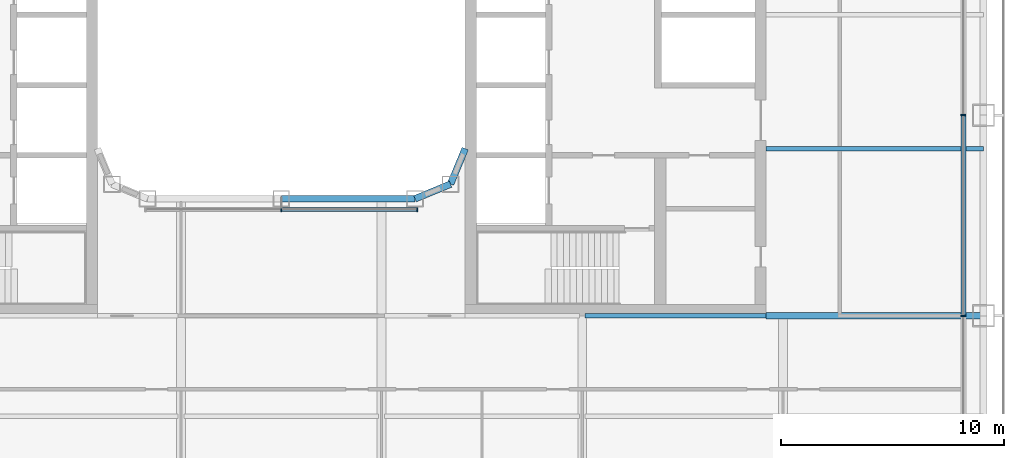
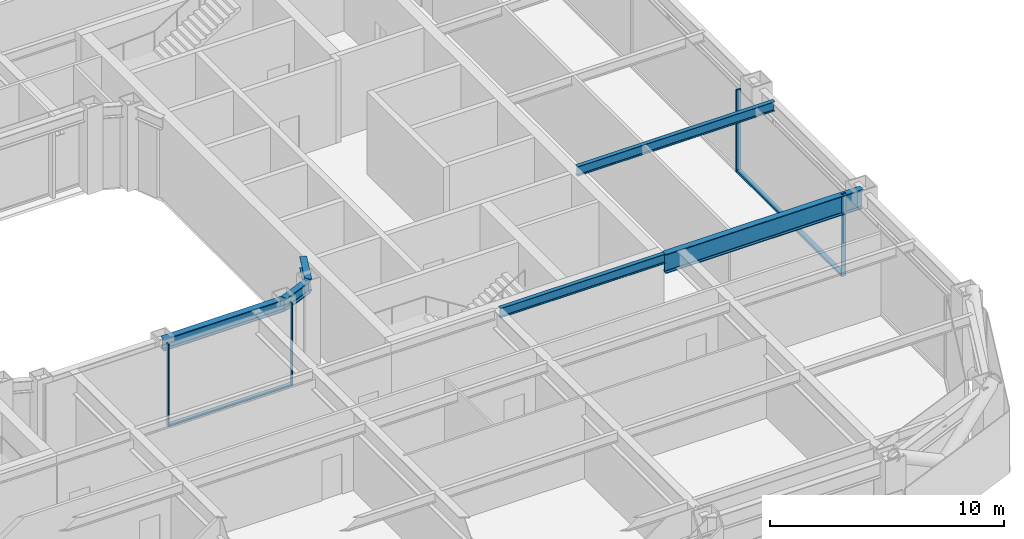
# One storey, part 5 of 27: 6 beams, 6 members, 2 elements without a shape of their own.
"""IFC4 building model written with IfcOpenShell, lengths in metres."""

from ifc_helpers import new_model, si_unit, direction, frame, origin, origin_2d, place, context, subcontext, project, spatial, rectangle, i_section, extrude, material, layer, layer_set, material_profile, profile_set, type_object, element, aggregate, save


model = new_model("IFC4")

# Units and contexts
model_context = context("Model", 3, precision=1e-05, world=origin(), true_north=direction((0.0, 1.0)))
body_context = subcontext(model_context, "Body", "Model", "MODEL_VIEW")
ifc_project = project(units=[si_unit("LENGTHUNIT", "METRE"), si_unit("AREAUNIT", "SQUARE_METRE"), si_unit("VOLUMEUNIT", "CUBIC_METRE"), si_unit("PLANEANGLEUNIT", "RADIAN"), si_unit("MASSUNIT", "GRAM", prefix="KILO")], contexts=[model_context])

# Site, building, storey
site_placement = place(None, origin())
site = spatial("IfcSite", under=ifc_project, at=site_placement, CompositionType="ELEMENT")
building_placement = place(site_placement, origin())
building = spatial("IfcBuilding", under=site, at=building_placement, Name="Siwar Civic Tower", CompositionType="ELEMENT")
storey_placement = place(building_placement, frame((0.0, 0.0, 89.699951171875)))
storey = spatial("IfcBuildingStorey", under=building, at=storey_placement, Name="L19", CompositionType="ELEMENT", Elevation=89.699951171875)

# Curtain wall, members
ifc_material_1 = material(Name="Aluminium and glass", Category="aluminium")
ifc_layer_1 = layer(ifc_material_1, 0.219970703125)
ifc_layer_set_1 = layer_set([ifc_layer_1], Name="Aluminium and glass")
curtain_wall_type_1 = type_object("IfcCurtainWallType", Name="ENV-CW-A", PredefinedType="NOTDEFINED", material=ifc_layer_set_1)
curtain_wall_1_placement = place(storey_placement, origin())
curtain_wall_1 = element("IfcCurtainWall", 1, at=curtain_wall_1_placement, inside=storey, type_object=curtain_wall_type_1, Name="Curtain wall A E", PredefinedType="NOTDEFINED")
ifc_material_2 = material(Name="Aluminium 6063-T6", Category="aluminium")
ifc_material_profile_1 = material_profile(ifc_material_2, rectangle(XDim=0.219970703125, YDim=0.070068359375, at=origin_2d()), Name="AL 220x70")
ifc_profile_set_1 = profile_set([ifc_material_profile_1], Name="Aluminium 6063-T6")
member_type_1 = type_object("IfcMemberType", Name="ENV-MULLION-A", PredefinedType="MULLION", material=ifc_profile_set_1)
member_1_placement = place(storey_placement, frame((30.60009765625, -13.5, 0.0), z_axis=(0.0, 0.0, 1.0), x_axis=(-1.0, 0.0, 0.0)))
member_1 = element("IfcMember", 2, at=member_1_placement, type_object=member_type_1, Name="Mullion A E 2", PredefinedType="MULLION", context=body_context, shape_type="SweptSolid", body=[
    extrude(rectangle(XDim=0.219970703125, YDim=0.070068359375, at=origin_2d()), origin(), (0.0, 0.0, 1.0), 4.300048828125),
])
member_2_placement = place(storey_placement, frame((30.60009765625, -4.5, 0.0), z_axis=(0.0, 0.0, 1.0), x_axis=(-1.0, 0.0, 0.0)))
member_2 = element("IfcMember", 3, at=member_2_placement, type_object=member_type_1, Name="Mullion A E 3", PredefinedType="MULLION", context=body_context, shape_type="SweptSolid", body=[
    extrude(rectangle(XDim=0.219970703125, YDim=0.070068359375, at=origin_2d()), origin(), (0.0, 0.0, 1.0), 4.300048828125),
])

ifc_material_3 = material(Name="Aluminium and glass", Category="aluminium")
ifc_layer_2 = layer(ifc_material_3, 0.179931640625)
ifc_layer_set_2 = layer_set([ifc_layer_2], Name="Aluminium and glass")
curtain_wall_type_2 = type_object("IfcCurtainWallType", Name="ENV-CW-W", PredefinedType="NOTDEFINED", material=ifc_layer_set_2)
curtain_wall_2_placement = place(storey_placement, origin())
curtain_wall_2 = element("IfcCurtainWall", 4, at=curtain_wall_2_placement, inside=storey, type_object=curtain_wall_type_2, Name="Curtain wall W WS", PredefinedType="NOTDEFINED")
ifc_material_4 = material(Name="Aluminium 6063-T6", Category="aluminium")
ifc_material_profile_2 = material_profile(ifc_material_4, rectangle(XDim=0.179931640625, YDim=0.06005859375, at=origin_2d()), Name="AL 180x60")
ifc_profile_set_2 = profile_set([ifc_material_profile_2], Name="Aluminium 6063-T6")
member_type_2 = type_object("IfcMemberType", Name="ENV-MULLION-W", PredefinedType="MULLION", material=ifc_profile_set_2)
member_3_placement = place(storey_placement, frame((0.0, -8.735107421875, 0.0), z_axis=(0.0, 0.0, 1.0), x_axis=(0.0, 1.0, 0.0)))
member_3 = element("IfcMember", 5, at=member_3_placement, type_object=member_type_2, Name="Mullion W WS 2", PredefinedType="MULLION", context=body_context, shape_type="SweptSolid", body=[
    extrude(rectangle(XDim=0.179931640625, YDim=0.06005859375, at=origin_2d()), origin(), (0.0, 0.0, 1.0), 4.300048828125),
])
member_4_placement = place(storey_placement, frame((6.096435546875, -8.735107421875, 0.0), z_axis=(0.0, 0.0, 1.0), x_axis=(0.0, 1.0, 0.0)))
member_4 = element("IfcMember", 6, at=member_4_placement, type_object=member_type_2, Name="Mullion W WS 3", PredefinedType="MULLION", context=body_context, shape_type="SweptSolid", body=[
    extrude(rectangle(XDim=0.179931640625, YDim=0.06005859375, at=origin_2d()), origin(), (0.0, 0.0, 1.0), 4.300048828125),
])

# Member
ifc_material_5 = material(Name="Aluminium 6063-T6", Category="aluminium")
ifc_material_profile_3 = material_profile(ifc_material_5, rectangle(XDim=0.219970703125, YDim=0.1201171875, at=origin_2d()), Name="AL 220x120")
ifc_profile_set_3 = profile_set([ifc_material_profile_3], Name="Aluminium 6063-T6")
member_type_3 = type_object("IfcMemberType", Name="ENV-TRANSOM-A", PredefinedType="USERDEFINED", material=ifc_profile_set_3)
member_5_placement = place(storey_placement, frame((30.60009765625, -13.465087890625, 0.06005859375), z_axis=(0.0, 1.0, 0.0), x_axis=(-1.0, 0.0, 0.0)))
member_5 = element("IfcMember", 7, at=member_5_placement, type_object=member_type_3, Name="Transom A E 2", ObjectType="TRANSOM", PredefinedType="USERDEFINED", context=body_context, shape_type="SweptSolid", body=[
    extrude(rectangle(XDim=0.219970703125, YDim=0.1201171875, at=origin_2d()), origin(), (0.0, 0.0, 1.0), 8.93017578125),
])

aggregate(curtain_wall_1, [member_1, member_2, member_5])

ifc_material_6 = material(Name="Aluminium 6063-T6", Category="aluminium")
ifc_material_profile_4 = material_profile(ifc_material_6, rectangle(XDim=0.179931640625, YDim=0.10009765625, at=origin_2d()), Name="AL 180x100")
ifc_profile_set_4 = profile_set([ifc_material_profile_4], Name="Aluminium 6063-T6")
member_type_4 = type_object("IfcMemberType", Name="ENV-TRANSOM-W", PredefinedType="USERDEFINED", material=ifc_profile_set_4)
member_6_placement = place(storey_placement, frame((0.030029296875, -8.735107421875, 0.050048828125), z_axis=(1.0, 0.0, 0.0), x_axis=(0.0, 1.0, 0.0)))
member_6 = element("IfcMember", 8, at=member_6_placement, type_object=member_type_4, Name="Transom W WS 2", ObjectType="TRANSOM", PredefinedType="USERDEFINED", context=body_context, shape_type="SweptSolid", body=[
    extrude(rectangle(XDim=0.179931640625, YDim=0.10009765625, at=origin_2d()), origin(), (0.0, 0.0, 1.0), 6.036376953125),
])

aggregate(curtain_wall_2, [member_3, member_4, member_6])

# Beams
ifc_material_7 = material(Name="Steel S355", Category="steel")
ifc_material_profile_5 = material_profile(ifc_material_7, i_section(OverallWidth=0.199951171875, OverallDepth=0.5, WebThickness=0.01025390625, FlangeThickness=0.01611328125, FilletRadius=0.02099609375, at=origin_2d()), Name="IPE500")
ifc_profile_set_5 = profile_set([ifc_material_profile_5], Name="Steel S355")
beam_type_1 = type_object("IfcBeamType", Name="STR-FB-IPE500", PredefinedType="JOIST", material=ifc_profile_set_5)
beam_1_placement = place(storey_placement, frame((13.6298828125, -13.5, 4.050048828125), z_axis=(1.0, 0.0, 0.0), x_axis=(0.0, 1.0, 0.0)))
element("IfcBeam", 9, at=beam_1_placement, inside=storey, type_object=beam_type_1, Name="L19/bm/F029", PredefinedType="JOIST", context=body_context, shape_type="SweptSolid", body=[
    extrude(i_section(OverallWidth=0.199951171875, OverallDepth=0.5, WebThickness=0.01025390625, FlangeThickness=0.01611328125, FilletRadius=0.02099609375, at=origin_2d()), origin(), (0.0, 0.0, 1.0), 8.1201171875),
])
beam_2_placement = place(storey_placement, frame((21.75, -6.0, 4.050048828125), z_axis=(1.0, 0.0, 0.0), x_axis=(0.0, 1.0, 0.0)))
element("IfcBeam", 10, at=beam_2_placement, inside=storey, type_object=beam_type_1, Name="L19/bm/F032", PredefinedType="JOIST", context=body_context, shape_type="SweptSolid", body=[
    extrude(i_section(OverallWidth=0.199951171875, OverallDepth=0.5, WebThickness=0.01025390625, FlangeThickness=0.01611328125, FilletRadius=0.02099609375, at=origin_2d()), origin(), (0.0, 0.0, 1.0), 9.75),
])
ifc_material_8 = material(Name="Steel S355", Category="steel")
ifc_material_profile_6 = material_profile(ifc_material_8, i_section(OverallWidth=0.300048828125, OverallDepth=1.0, WebThickness=0.01904296875, FlangeThickness=0.035888671875, FilletRadius=0.030029296875, at=origin_2d()), Name="HEB1000")
ifc_profile_set_6 = profile_set([ifc_material_profile_6], Name="Steel S355")
beam_type_2 = type_object("IfcBeamType", Name="STR-PG-HEB1000", PredefinedType="BEAM", material=ifc_profile_set_6)
beam_3_placement = place(storey_placement, frame((21.75, -13.5, 3.800048828125), z_axis=(1.0, 0.0, 0.0), x_axis=(0.0, 1.0, 0.0)))
element("IfcBeam", 11, at=beam_3_placement, inside=storey, type_object=beam_type_2, Name="L19/bm/F030", PredefinedType="BEAM", context=body_context, shape_type="SweptSolid", body=[
    extrude(i_section(OverallWidth=0.300048828125, OverallDepth=1.0, WebThickness=0.01904296875, FlangeThickness=0.035888671875, FilletRadius=0.030029296875, at=origin_2d()), origin(), (0.0, 0.0, 1.0), 9.75),
])
ifc_material_9 = material(Name="Steel S355", Category="steel")
ifc_material_profile_7 = material_profile(ifc_material_9, i_section(OverallWidth=0.304931640625, OverallDepth=0.6201171875, WebThickness=0.02099609375, FlangeThickness=0.0400390625, FilletRadius=0.027099609375, at=origin_2d()), Name="HEM600")
ifc_profile_set_7 = profile_set([ifc_material_profile_7], Name="Steel S355")
beam_type_3 = type_object("IfcBeamType", Name="STR-RB-HEM600", PredefinedType="BEAM", material=ifc_profile_set_7)
beam_4_placement = place(storey_placement, frame((0.0, -8.25, 3.989990234375), z_axis=(1.0, 0.0, 0.0), x_axis=(0.0, 1.0, 0.0)))
element("IfcBeam", 12, at=beam_4_placement, inside=storey, type_object=beam_type_3, Name="L19/bm/RS2", PredefinedType="BEAM", context=body_context, shape_type="SweptSolid", body=[
    extrude(i_section(OverallWidth=0.304931640625, OverallDepth=0.6201171875, WebThickness=0.02099609375, FlangeThickness=0.0400390625, FilletRadius=0.027099609375, at=origin_2d()), origin(), (0.0, 0.0, 1.0), 6.0),
])
for number, where, z_axis, x_axis, name in (
    (13, (6.0, -8.25, 3.989990234375), (0.923901072997, 0.382631424892, 0.0), (-0.382631424892, 0.923901072997, 0.0), "L19/bm/RS3"),
    (14, (7.591064453125, -7.591064453125, 3.989990234375), (0.382631424892, 0.923901072997, 0.0), (-0.923901072997, 0.382631424892, 0.0), "L19/bm/RSEE"),
):
    element("IfcBeam", number, at=place(storey_placement, frame(where, z_axis=z_axis, x_axis=x_axis)), inside=storey, type_object=beam_type_3, Name=name, PredefinedType="BEAM", context=body_context, shape_type="SweptSolid", body=[
        extrude(i_section(OverallWidth=0.304931640625, OverallDepth=0.6201171875, WebThickness=0.02099609375, FlangeThickness=0.0400390625, FilletRadius=0.027099609375, at=origin_2d()), origin(), (0.0, 0.0, 1.0), 1.72216796875),
    ])

save(model, "model.ifc")
